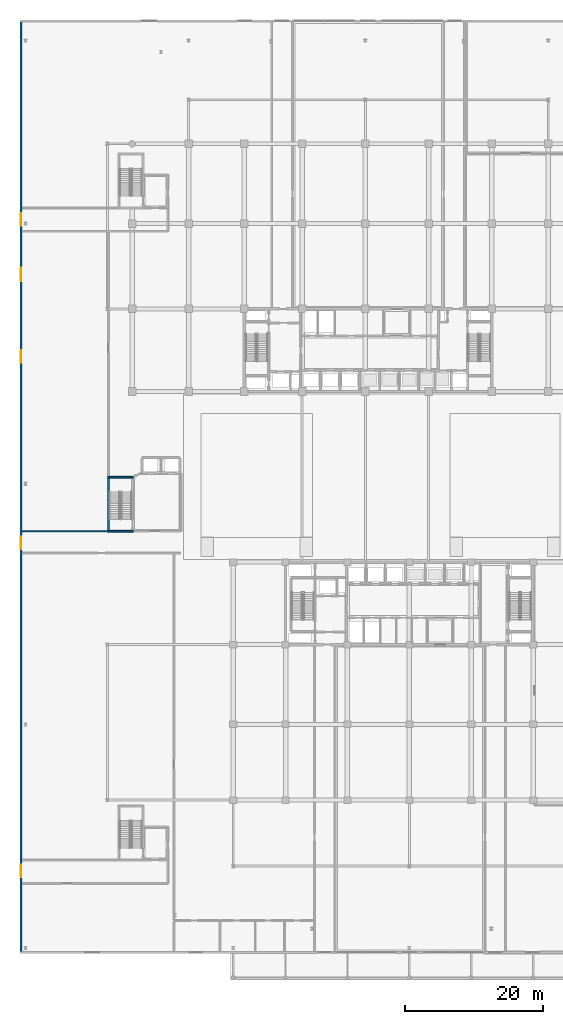
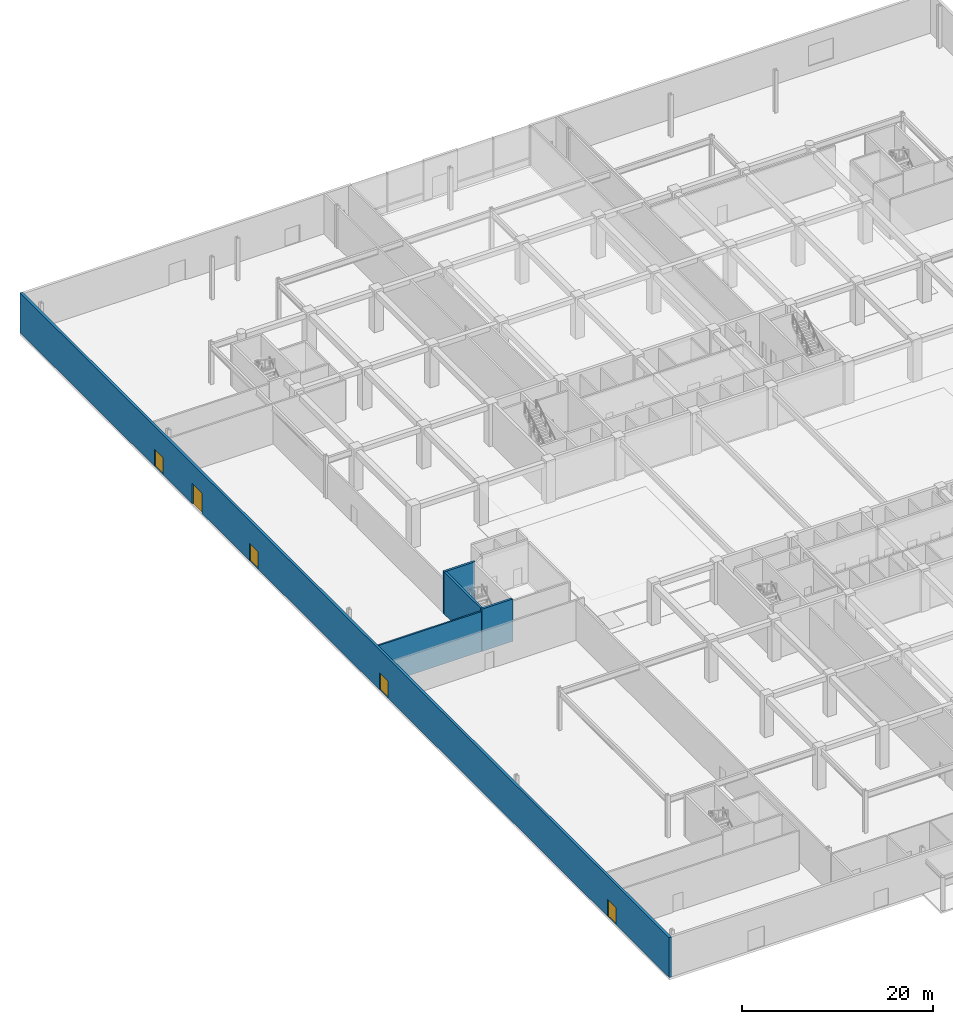
# One storey, part 24 of 46: 5 doors, 5 walls, 5 openings.
"""IFC4 building model written with IfcOpenShell, lengths in metres."""

from ifc_helpers import new_model, si_unit, direction, frame, frame_2d, origin, place, context, subcontext, project, spatial, rectangle, extrude, material, layer, layer_set, type_object, element, fill, save


model = new_model("IFC4")

# Units and contexts
model_context = context("Model", 3, precision=1e-05, world=origin(), true_north=direction((0.0, 1.0)))
body_context = subcontext(model_context, "Body", "Model", "MODEL_VIEW")
ifc_project = project(units=[si_unit("LENGTHUNIT", "METRE"), si_unit("AREAUNIT", "SQUARE_METRE"), si_unit("VOLUMEUNIT", "CUBIC_METRE"), si_unit("PLANEANGLEUNIT", "RADIAN"), si_unit("MASSUNIT", "GRAM", prefix="KILO")], contexts=[model_context])

# Site, building, storey
site_placement = place(None, origin())
site = spatial("IfcSite", under=ifc_project, at=site_placement, CompositionType="ELEMENT")
building_placement = place(site_placement, origin())
building = spatial("IfcBuilding", under=site, at=building_placement, Name="Korimba Cascade Residences", CompositionType="ELEMENT")
storey_placement = place(building_placement, origin())
storey = spatial("IfcBuildingStorey", under=building, at=storey_placement, Name="L00", CompositionType="ELEMENT", Elevation=0.0)

# Wall, openings, doors
ifc_material_1 = material(Name="Precast concrete C40/50", Category="concrete")
ifc_layer_1 = layer(ifc_material_1, 0.300048828125)
ifc_layer_set_1 = layer_set([ifc_layer_1], Name="Precast concrete C40/50")
wall_type_1 = type_object("IfcWallType", Name="EW-STONE-300", PredefinedType="STANDARD", material=ifc_layer_set_1)
wall_1_placement = place(storey_placement, frame((43.64990234375, 109.199951171875, 0.0), z_axis=(0.0, 0.0, 1.0), x_axis=(0.0, -1.0, 0.0)))
wall_1 = element("IfcWall", 1, at=wall_1_placement, inside=storey, type_object=wall_type_1, Name="L00 West Stone Podium Wall", PredefinedType="STANDARD", context=body_context, shape_type="SweptSolid", body=[
    extrude(rectangle(XDim=135.699951171875, YDim=0.300048828125, at=frame_2d((67.85009765625, 0.0))), origin(), (0.0, 0.0, 1.0), 5.10009765625),
])
opening_1_placement = place(wall_1_placement, frame((75.10009765625, 0.0, 0.0)))
opening_1 = element("IfcOpeningElement", 2, at=opening_1_placement, cuts=wall_1, Name="Opening D-EX2", PredefinedType="OPENING", context=body_context, shape_type="SweptSolid", body=[
    extrude(rectangle(XDim=1.800048828125, YDim=2.199951171875, at=frame_2d((0.89990234375, 1.10009765625))), frame((0.0, 0.16015625, 0.0), z_axis=(0.0, -1.0, 0.0), x_axis=(1.0, 0.0, 0.0)), (0.0, 0.0, 1.0), 0.320068359375),
])
opening_2_placement = place(wall_1_placement, frame((28.10009765625, 0.0, 0.0)))
opening_2 = element("IfcOpeningElement", 3, at=opening_2_placement, cuts=wall_1, Name="Opening D-EX2", PredefinedType="OPENING", context=body_context, shape_type="SweptSolid", body=[
    extrude(rectangle(XDim=1.800048828125, YDim=2.199951171875, at=frame_2d((0.89990234375, 1.10009765625))), frame((0.0, 0.16015625, 0.0), z_axis=(0.0, -1.0, 0.0), x_axis=(1.0, 0.0, 0.0)), (0.0, 0.0, 1.0), 0.320068359375),
])
opening_3_placement = place(wall_1_placement, frame((36.0, 0.0, 0.0)))
opening_3 = element("IfcOpeningElement", 4, at=opening_3_placement, cuts=wall_1, Name="Opening D-EX1", PredefinedType="OPENING", context=body_context, shape_type="SweptSolid", body=[
    extrude(rectangle(XDim=2.0, YDim=2.60009765625, at=frame_2d((1.0, 1.300048828125))), frame((0.0, 0.16015625, 0.0), z_axis=(0.0, -1.0, 0.0), x_axis=(1.0, 0.0, 0.0)), (0.0, 0.0, 1.0), 0.320068359375),
])
opening_4_placement = place(wall_1_placement, frame((48.0, 0.0, 0.0)))
opening_4 = element("IfcOpeningElement", 5, at=opening_4_placement, cuts=wall_1, Name="Opening D-EX2", PredefinedType="OPENING", context=body_context, shape_type="SweptSolid", body=[
    extrude(rectangle(XDim=1.800048828125, YDim=2.199951171875, at=frame_2d((0.89990234375, 1.10009765625))), frame((0.0, 0.16015625, 0.0), z_axis=(0.0, -1.0, 0.0), x_axis=(1.0, 0.0, 0.0)), (0.0, 0.0, 1.0), 0.320068359375),
])
opening_5_placement = place(wall_1_placement, frame((122.800048828125, 0.0, 0.0)))
opening_5 = element("IfcOpeningElement", 6, at=opening_5_placement, cuts=wall_1, Name="Opening D-EX2", PredefinedType="OPENING", context=body_context, shape_type="SweptSolid", body=[
    extrude(rectangle(XDim=1.800048828125, YDim=2.199951171875, at=frame_2d((0.89990234375, 1.10009765625))), frame((0.0, 0.16015625, 0.0), z_axis=(0.0, -1.0, 0.0), x_axis=(1.0, 0.0, 0.0)), (0.0, 0.0, 1.0), 0.320068359375),
])
ifc_material_2 = material(Name="Double-Glazed Entrance Doors", Category="glass")
door_type_1 = type_object("IfcDoorType", Name="DR-EXT-ENT", OperationType="NOTDEFINED", PredefinedType="DOOR", material=ifc_material_2)
door_1_placement = place(opening_3_placement, frame((2.0, 0.0, 0.0), z_axis=(0.0, 0.0, 1.0), x_axis=(-1.0, 0.0, 0.0)))
door_1 = element("IfcDoor", 7, at=door_1_placement, inside=storey, type_object=door_type_1, Name="L00 Bicycle Street Entrance Door", OperationType="DOUBLE_DOOR_SINGLE_SWING", OverallHeight=2.60009765625, OverallWidth=2.0, PredefinedType="DOOR", context=body_context, shape_type="SweptSolid", body=[
    extrude(rectangle(XDim=2.0, YDim=2.60009765625, at=frame_2d((1.0, 1.300048828125))), frame((0.0, 0.02490234375, 0.0), z_axis=(0.0, -1.0, 0.0), x_axis=(1.0, 0.0, 0.0)), (0.0, 0.0, 1.0), 0.050048828125),
])
fill(opening_3, door_1)
ifc_material_3 = material(Name="Galvanised Steel Fire Exit Door", Category="steel")
door_type_2 = type_object("IfcDoorType", Name="DR-EXT-EXIT", OperationType="NOTDEFINED", PredefinedType="DOOR", material=ifc_material_3)
door_2_placement = place(opening_1_placement, frame((1.800048828125, 0.0, 0.0), z_axis=(0.0, 0.0, 1.0), x_axis=(-1.0, 0.0, 0.0)))
door_2 = element("IfcDoor", 8, at=door_2_placement, inside=storey, type_object=door_type_2, Name="L00 West Street Fire Exit Door EX-05", OperationType="DOUBLE_DOOR_SINGLE_SWING", OverallHeight=2.199951171875, OverallWidth=1.800048828125, PredefinedType="DOOR", context=body_context, shape_type="SweptSolid", body=[
    extrude(rectangle(XDim=1.800048828125, YDim=2.199951171875, at=frame_2d((0.89990234375, 1.10009765625))), frame((0.0, 0.02490234375, 0.0), z_axis=(0.0, -1.0, 0.0), x_axis=(1.0, 0.0, 0.0)), (0.0, 0.0, 1.0), 0.050048828125),
])
fill(opening_1, door_2)
door_3_placement = place(opening_2_placement, frame((1.800048828125, 0.0, 0.0), z_axis=(0.0, 0.0, 1.0), x_axis=(-1.0, 0.0, 0.0)))
door_3 = element("IfcDoor", 9, at=door_3_placement, inside=storey, type_object=door_type_2, Name="L00 North-West Corner Stair Exit Door EX-11", OperationType="DOUBLE_DOOR_SINGLE_SWING", OverallHeight=2.199951171875, OverallWidth=1.800048828125, PredefinedType="DOOR", context=body_context, shape_type="SweptSolid", body=[
    extrude(rectangle(XDim=1.800048828125, YDim=2.199951171875, at=frame_2d((0.89990234375, 1.10009765625))), frame((0.0, 0.02490234375, 0.0), z_axis=(0.0, -1.0, 0.0), x_axis=(1.0, 0.0, 0.0)), (0.0, 0.0, 1.0), 0.050048828125),
])
fill(opening_2, door_3)
door_4_placement = place(opening_4_placement, frame((1.800048828125, 0.0, 0.0), z_axis=(0.0, 0.0, 1.0), x_axis=(-1.0, 0.0, 0.0)))
door_4 = element("IfcDoor", 10, at=door_4_placement, inside=storey, type_object=door_type_2, Name="L00 West Concourse Exit Door EX-09", OperationType="DOUBLE_DOOR_SINGLE_SWING", OverallHeight=2.199951171875, OverallWidth=1.800048828125, PredefinedType="DOOR", context=body_context, shape_type="SweptSolid", body=[
    extrude(rectangle(XDim=1.800048828125, YDim=2.199951171875, at=frame_2d((0.89990234375, 1.10009765625))), frame((0.0, 0.02490234375, 0.0), z_axis=(0.0, -1.0, 0.0), x_axis=(1.0, 0.0, 0.0)), (0.0, 0.0, 1.0), 0.050048828125),
])
fill(opening_4, door_4)
door_5_placement = place(opening_5_placement, frame((1.800048828125, 0.0, 0.0), z_axis=(0.0, 0.0, 1.0), x_axis=(-1.0, 0.0, 0.0)))
door_5 = element("IfcDoor", 11, at=door_5_placement, inside=storey, type_object=door_type_2, Name="L00 South-West Corner Stair Exit Door EX-10", OperationType="DOUBLE_DOOR_SINGLE_SWING", OverallHeight=2.199951171875, OverallWidth=1.800048828125, PredefinedType="DOOR", context=body_context, shape_type="SweptSolid", body=[
    extrude(rectangle(XDim=1.800048828125, YDim=2.199951171875, at=frame_2d((0.89990234375, 1.10009765625))), frame((0.0, 0.02490234375, 0.0), z_axis=(0.0, -1.0, 0.0), x_axis=(1.0, 0.0, 0.0)), (0.0, 0.0, 1.0), 0.050048828125),
])
fill(opening_5, door_5)

# Walls
ifc_material_4 = material(Name="Concrete C40/50", Category="concrete")
ifc_layer_2 = layer(ifc_material_4, 0.199951171875)
ifc_layer_set_2 = layer_set([ifc_layer_2], Name="Concrete C40/50")
wall_type_2 = type_object("IfcWallType", Name="WAL-PART-200", PredefinedType="PARTITIONING", material=ifc_layer_set_2)
wall_2_placement = place(storey_placement, frame((43.800048828125, 34.875, 0.0), z_axis=(0.0, 0.0, 1.0), x_axis=(1.0, 0.0, 0.0)))
element("IfcWall", 12, at=wall_2_placement, inside=storey, type_object=wall_type_2, Name="L00 Partition Wall WAL-L00-XPWN", PredefinedType="PARTITIONING", context=body_context, shape_type="SweptSolid", body=[
    extrude(rectangle(XDim=12.39990234375, YDim=0.199951171875, at=frame_2d((6.199951171875, 0.0))), origin(), (0.0, 0.0, 1.0), 5.10009765625),
])
ifc_material_5 = material(Name="Concrete C50/60", Category="concrete")
ifc_layer_3 = layer(ifc_material_5, 0.25)
ifc_layer_set_3 = layer_set([ifc_layer_3], Name="Concrete C50/60")
wall_type_3 = type_object("IfcWallType", Name="WAL-SHAFT-250", PredefinedType="SHEAR", material=ifc_layer_set_3)
wall_3_placement = place(storey_placement, frame((56.375, 35.0, 0.0), z_axis=(0.0, 0.0, 1.0), x_axis=(0.0, 1.0, 0.0)))
element("IfcWall", 13, at=wall_3_placement, inside=storey, type_object=wall_type_3, Name="L00 Core Shear Wall CW-L00-STP1W", PredefinedType="SHEAR", context=body_context, shape_type="SweptSolid", body=[
    extrude(rectangle(XDim=7.60009765625, YDim=0.25, at=frame_2d((3.800048828125, 0.0))), origin(), (0.0, 0.0, 1.0), 5.39990234375),
])
for number, where, z_axis, x_axis, name in (
    (14, (56.25, 42.72509765625, 0.0), (0.0, 0.0, 1.0), (1.0, 0.0, 0.0), "L00 Core Shear Wall CW-L00-STP1N"),
    (15, (56.25, 34.875, 0.0), (0.0, 0.0, 1.0), (1.0, 0.0, 0.0), "L00 Core Shear Wall CW-L00-STP1S"),
):
    element("IfcWall", number, at=place(storey_placement, frame(where, z_axis=z_axis, x_axis=x_axis)), inside=storey, type_object=wall_type_3, Name=name, PredefinedType="SHEAR", context=body_context, shape_type="SweptSolid", body=[
        extrude(rectangle(XDim=3.739990234375, YDim=0.25, at=frame_2d((1.8701171875, 0.0))), origin(), (0.0, 0.0, 1.0), 5.39990234375),
    ])

save(model, "model.ifc")
